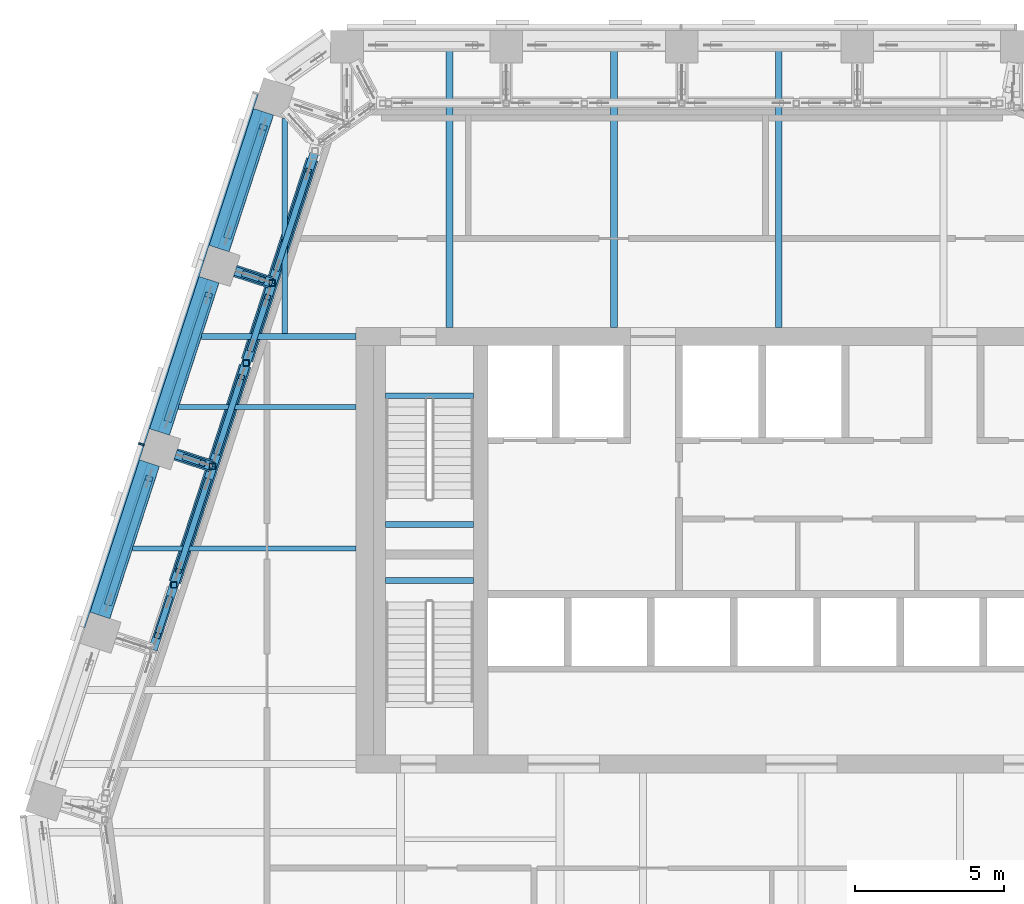
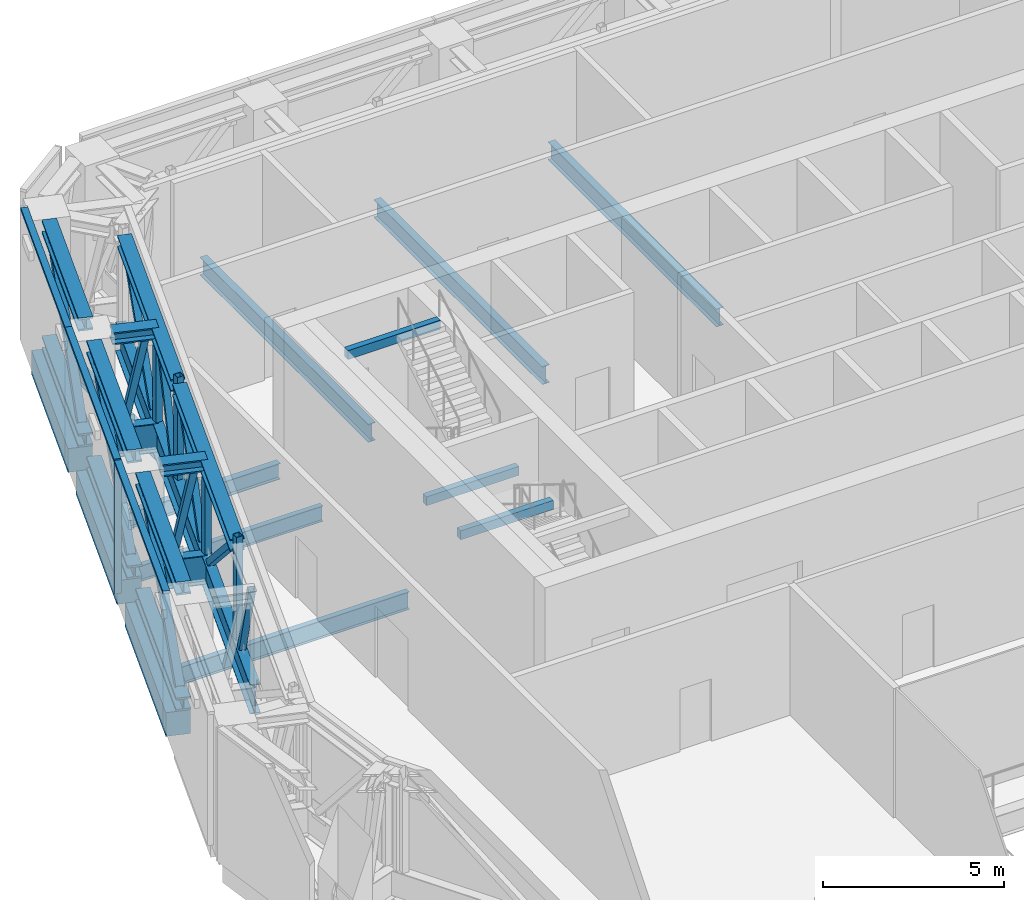
# One storey, part 11 of 25: 33 members, 13 beams, 1 element without a shape of its own.
"""IFC4 building model written with IfcOpenShell, lengths in metres."""

from ifc_helpers import new_model, si_unit, direction, frame, origin, origin_2d, place, context, subcontext, project, spatial, rectangle, hollow_rectangle, i_section, extrude, material, layer, layer_set, material_profile, profile_set, type_object, element, aggregate, save


model = new_model("IFC4")

# Units and contexts
model_context = context("Model", 3, precision=1e-05, world=origin(), true_north=direction((0.0, 1.0)))
body_context = subcontext(model_context, "Body", "Model", "MODEL_VIEW")
ifc_project = project(units=[si_unit("LENGTHUNIT", "METRE"), si_unit("AREAUNIT", "SQUARE_METRE"), si_unit("VOLUMEUNIT", "CUBIC_METRE"), si_unit("PLANEANGLEUNIT", "RADIAN"), si_unit("MASSUNIT", "GRAM", prefix="KILO")], contexts=[model_context])

# Site, building, storey
site_placement = place(None, origin())
site = spatial("IfcSite", under=ifc_project, at=site_placement, CompositionType="ELEMENT")
building_placement = place(site_placement, origin())
building = spatial("IfcBuilding", under=site, at=building_placement, Name="Isthmus Gate Tower", CompositionType="ELEMENT")
storey_placement = place(building_placement, frame((0.0, 0.0, 256.449951171875)))
storey = spatial("IfcBuildingStorey", under=building, at=storey_placement, Name="L65", CompositionType="ELEMENT", Elevation=256.449951171875)

# Members
ifc_material_1 = material(Name="Structural steel ASTM A913 Gr 65", Category="steel")
ifc_material_profile_1 = material_profile(ifc_material_1, i_section(OverallWidth=0.416015625, OverallDepth=0.444580078125, WebThickness=0.039794921875, FlangeThickness=0.0634765625, at=origin_2d()), Name="W14X342")
ifc_profile_set_1 = profile_set([ifc_material_profile_1], Name="Structural steel ASTM A913 Gr 65")
member_type_1 = type_object("IfcMemberType", Name="BELT TRUSS CHORD W14X342", PredefinedType="CHORD", material=ifc_profile_set_1)
for number, where, z_axis, x_axis, name in (
    (1, (-23.47705078125, 5.260986328125, 0.222412109375), (0.309019524535, 0.951055694193, 0.0), (-0.951055694193, 0.309019524535, 0.0), "str-belt22-L65-01"),
    (2, (-23.47705078125, 5.260986328125, 4.127685546875), (0.309019524535, 0.951055694193, 0.0), (-0.951055694193, 0.309019524535, 0.0), "str-belt22-L65-02"),
):
    element("IfcMember", number, at=place(storey_placement, frame(where, z_axis=z_axis, x_axis=x_axis)), inside=storey, type_object=member_type_1, Name=name, PredefinedType="CHORD", context=body_context, shape_type="SweptSolid", body=[
        extrude(i_section(OverallWidth=0.416015625, OverallDepth=0.444580078125, WebThickness=0.039794921875, FlangeThickness=0.0634765625, at=origin_2d()), origin(), (0.0, 0.0, 1.0), 5.39208984375),
    ])
for number, where, z_axis, x_axis, name in (
    (3, (-21.470947265625, 11.435302734375, 0.222412109375), (0.309032831924, 0.951051370218, 0.0), (-0.951051370218, 0.309032831924, 0.0), "str-belt23-L65-01"),
    (4, (-21.470947265625, 11.435302734375, 4.127685546875), (0.309032831924, 0.951051370218, 0.0), (-0.951051370218, 0.309032831924, 0.0), "str-belt23-L65-02"),
):
    element("IfcMember", number, at=place(storey_placement, frame(where, z_axis=z_axis, x_axis=x_axis)), inside=storey, type_object=member_type_1, Name=name, PredefinedType="CHORD", context=body_context, shape_type="SweptSolid", body=[
        extrude(i_section(OverallWidth=0.416015625, OverallDepth=0.444580078125, WebThickness=0.039794921875, FlangeThickness=0.0634765625, at=origin_2d()), origin(), (0.0, 0.0, 1.0), 5.391845703125),
    ])
for number, where, z_axis, x_axis, name in (
    (5, (-19.46484375, 17.609375, 0.222412109375), (0.309033626624, 0.951051111989, 0.0), (-0.951051111989, 0.309033626624, 0.0), "str-belt24-L65-01"),
    (6, (-19.46484375, 17.609375, 4.127685546875), (0.309033626624, 0.951051111989, 0.0), (-0.951051111989, 0.309033626624, 0.0), "str-belt24-L65-02"),
):
    element("IfcMember", number, at=place(storey_placement, frame(where, z_axis=z_axis, x_axis=x_axis)), inside=storey, type_object=member_type_1, Name=name, PredefinedType="CHORD", context=body_context, shape_type="SweptSolid", body=[
        extrude(i_section(OverallWidth=0.416015625, OverallDepth=0.444580078125, WebThickness=0.039794921875, FlangeThickness=0.0634765625, at=origin_2d()), origin(), (0.0, 0.0, 1.0), 4.842041015625),
    ])

# Curtain wall, members
ifc_material_2 = material(Name="Aluminium, pale champagne anodised", Category="aluminium")
ifc_layer = layer(ifc_material_2, 0.199951171875)
ifc_layer_set = layer_set([ifc_layer], Name="CW-2 LOUVRE CURTAIN WALL 200 DEEP")
curtain_wall_type = type_object("IfcCurtainWallType", Name="CW-2 LOUVRE CURTAIN WALL 200 DEEP", PredefinedType="NOTDEFINED", material=ifc_layer_set)
curtain_wall_placement = place(storey_placement, origin())
curtain_wall = element("IfcCurtainWall", 7, at=curtain_wall_placement, inside=storey, type_object=curtain_wall_type, Name="CW-2 NW L65", PredefinedType="NOTDEFINED")
ifc_material_3 = material(Name="Aluminium, pale champagne anodised", Category="aluminium")
ifc_material_profile_2 = material_profile(ifc_material_3, rectangle(XDim=0.06005859375, YDim=0.199951171875, at=origin_2d()), Name="60x200")
ifc_profile_set_2 = profile_set([ifc_material_profile_2], Name="Aluminium, pale champagne anodised")
member_type_2 = type_object("IfcMemberType", Name="CW-2 MULLION 60 X 200", PredefinedType="MULLION", material=ifc_profile_set_2)
member_1_placement = place(storey_placement, frame((-22.220703125, 11.069091796875, 0.0), z_axis=(0.0, 0.0, 1.0), x_axis=(-0.309016994375, -0.951056516295, 0.0)))
member_1 = element("IfcMember", 8, at=member_1_placement, type_object=member_type_2, Name="CW-2 mullion", PredefinedType="MULLION", context=body_context, shape_type="SweptSolid", body=[
    extrude(rectangle(XDim=0.06005859375, YDim=0.199951171875, at=origin_2d()), origin(), (0.0, 0.0, 1.0), 4.5),
])
ifc_material_4 = material(Name="Aluminium, pale champagne anodised", Category="aluminium")
ifc_material_profile_3 = material_profile(ifc_material_4, rectangle(XDim=0.199951171875, YDim=0.10009765625, at=origin_2d()), Name="200x100")
ifc_profile_set_3 = profile_set([ifc_material_profile_3], Name="Aluminium, pale champagne anodised")
member_type_3 = type_object("IfcMemberType", Name="CW-2 TRANSOM 200 X 100", PredefinedType="USERDEFINED", material=ifc_profile_set_3)
member_2_placement = place(storey_placement, frame((-18.3876953125, 22.86572265625, 4.449951171875), z_axis=(-0.309021311898, -0.951055113436, 0.0), x_axis=(0.951055113436, -0.309021311898, 0.0)))
member_2 = element("IfcMember", 9, at=member_2_placement, type_object=member_type_3, Name="CW-2 transom", ObjectType="TRANSOM", PredefinedType="USERDEFINED", context=body_context, shape_type="SweptSolid", body=[
    extrude(rectangle(XDim=0.199951171875, YDim=0.10009765625, at=origin_2d()), origin(), (0.0, 0.0, 1.0), 5.8818359375),
])
member_3_placement = place(storey_placement, frame((-20.205322265625, 17.271728515625, 4.449951171875), z_axis=(-0.309020593362, -0.951055346906, 0.0), x_axis=(0.951055346906, -0.309020593362, 0.0)))
member_3 = element("IfcMember", 10, at=member_3_placement, type_object=member_type_3, Name="CW-2 transom", ObjectType="TRANSOM", PredefinedType="USERDEFINED", context=body_context, shape_type="SweptSolid", body=[
    extrude(rectangle(XDim=0.199951171875, YDim=0.10009765625, at=origin_2d()), origin(), (0.0, 0.0, 1.0), 6.49169921875),
])
member_4_placement = place(storey_placement, frame((-22.22998046875, 11.04052734375, 4.449951171875), z_axis=(-0.309010542947, -0.951058612467, 0.0), x_axis=(0.951058612467, -0.309010542947, 0.0)))
member_4 = element("IfcMember", 11, at=member_4_placement, type_object=member_type_3, Name="CW-2 transom", ObjectType="TRANSOM", PredefinedType="USERDEFINED", context=body_context, shape_type="SweptSolid", body=[
    extrude(rectangle(XDim=0.199951171875, YDim=0.10009765625, at=origin_2d()), origin(), (0.0, 0.0, 1.0), 6.431884765625),
])
aggregate(curtain_wall, [member_2, member_3, member_1, member_4])

# Beams
ifc_material_5 = material(Name="Concrete f'c 50 MPa", Category="concrete")
ifc_material_profile_4 = material_profile(ifc_material_5, rectangle(XDim=0.699951171875, YDim=0.800048828125, at=origin_2d()), Name="RC 700X800")
ifc_profile_set_4 = profile_set([ifc_material_profile_4], Name="Concrete f'c 50 MPa")
beam_type_1 = type_object("IfcBeamType", Name="RC SPANDREL 700 X 800", PredefinedType="SPANDREL", material=ifc_profile_set_4)
for number, where, z_axis, x_axis, name in (
    (12, (-23.61962890625, 5.307373046875, -0.39990234375), (0.309032831924, 0.951051370218, 0.0), (-0.951051370218, 0.309032831924, 0.0), "str-spandrel-L65-22"),
    (13, (-21.613525390625, 11.481689453125, -0.39990234375), (0.309032831924, 0.951051370218, 0.0), (-0.951051370218, 0.309032831924, 0.0), "str-spandrel-L65-23"),
):
    element("IfcBeam", number, at=place(storey_placement, frame(where, z_axis=z_axis, x_axis=x_axis)), inside=storey, type_object=beam_type_1, Name=name, PredefinedType="SPANDREL", context=body_context, shape_type="SweptSolid", body=[
        extrude(rectangle(XDim=0.699951171875, YDim=0.800048828125, at=origin_2d()), origin(), (0.0, 0.0, 1.0), 5.391845703125),
    ])
beam_1_placement = place(storey_placement, frame((-19.607421875, 17.65576171875, -0.39990234375), z_axis=(0.309033626624, 0.951051111989, 0.0), x_axis=(-0.951051111989, 0.309033626624, 0.0)))
element("IfcBeam", 14, at=beam_1_placement, inside=storey, type_object=beam_type_1, Name="str-spandrel-L65-24", PredefinedType="SPANDREL", context=body_context, shape_type="SweptSolid", body=[
    extrude(rectangle(XDim=0.699951171875, YDim=0.800048828125, at=origin_2d()), origin(), (0.0, 0.0, 1.0), 4.842041015625),
])
ifc_material_6 = material(Name="Concrete f'c 40 MPa", Category="concrete")
ifc_material_profile_5 = material_profile(ifc_material_6, rectangle(XDim=0.199951171875, YDim=0.300048828125, at=origin_2d()), Name="STAIR LANDING BEAM RC 200 X 300")
ifc_profile_set_5 = profile_set([ifc_material_profile_5], Name="Concrete f'c 40 MPa")
beam_type_2 = type_object("IfcBeamType", Name="STAIR LANDING BEAM RC 200 X 300", PredefinedType="BEAM", material=ifc_profile_set_5)
for number, where, z_axis, x_axis, name in (
    (15, (-14.0, 8.3701171875, 1.900146484375), (1.0, 0.0, 0.0), (0.0, 1.0, 0.0), "L65 ST1 landing beam 1"),
    (16, (-14.0, 12.7001953125, 4.199951171875), (1.0, 0.0, 0.0), (0.0, 1.0, 0.0), "L65 ST1 floor-edge seat beam"),
    (17, (-14.0, 6.47998046875, 1.900146484375), (1.0, 0.0, 0.0), (0.0, 1.0, 0.0), "L65 ST7 landing beam 1"),
):
    element("IfcBeam", number, at=place(storey_placement, frame(where, z_axis=z_axis, x_axis=x_axis)), inside=storey, type_object=beam_type_2, Name=name, PredefinedType="BEAM", context=body_context, shape_type="SweptSolid", body=[
        extrude(rectangle(XDim=0.199951171875, YDim=0.300048828125, at=origin_2d()), origin(), (0.0, 0.0, 1.0), 2.949951171875),
    ])
ifc_material_7 = material(Name="Structural steel ASTM A992 Gr 50", Category="steel")
ifc_material_profile_6 = material_profile(ifc_material_7, i_section(OverallWidth=0.1650390625, OverallDepth=0.52392578125, WebThickness=0.009521484375, FlangeThickness=0.010986328125, at=origin_2d()), Name="W21X44")
ifc_profile_set_6 = profile_set([ifc_material_profile_6], Name="Structural steel ASTM A992 Gr 50")
beam_type_3 = type_object("IfcBeamType", Name="STEEL FLOOR BEAM W21X44", PredefinedType="JOIST", material=ifc_profile_set_6)
beam_2_placement = place(storey_placement, frame((-20.973388671875, 12.319091796875, -0.56201171875), z_axis=(1.0, 0.0, 0.0), x_axis=(0.0, 1.0, 0.0)))
element("IfcBeam", 18, at=beam_2_placement, inside=storey, type_object=beam_type_3, Name="str-beam-L65-00-02", PredefinedType="JOIST", context=body_context, shape_type="SweptSolid", body=[
    extrude(i_section(OverallWidth=0.1650390625, OverallDepth=0.52392578125, WebThickness=0.009521484375, FlangeThickness=0.010986328125, at=origin_2d()), origin(), (0.0, 0.0, 1.0), 5.973388671875),
])
ifc_material_8 = material(Name="Structural steel ASTM A992 Gr 50", Category="steel")
ifc_material_profile_7 = material_profile(ifc_material_8, i_section(OverallWidth=0.177734375, OverallDepth=0.60009765625, WebThickness=0.009521484375, FlangeThickness=0.0126953125, at=origin_2d()), Name="W24X55")
ifc_profile_set_7 = profile_set([ifc_material_profile_7], Name="Structural steel ASTM A992 Gr 50")
beam_type_4 = type_object("IfcBeamType", Name="STEEL FLOOR BEAM W24X55", PredefinedType="JOIST", material=ifc_profile_set_7)
beam_3_placement = place(storey_placement, frame((-22.520751953125, 7.55712890625, -0.60009765625), z_axis=(1.0, 0.0, 0.0), x_axis=(0.0, 1.0, 0.0)))
element("IfcBeam", 19, at=beam_3_placement, inside=storey, type_object=beam_type_4, Name="str-beam-L65-00-01", PredefinedType="JOIST", context=body_context, shape_type="SweptSolid", body=[
    extrude(i_section(OverallWidth=0.177734375, OverallDepth=0.60009765625, WebThickness=0.009521484375, FlangeThickness=0.0126953125, at=origin_2d()), origin(), (0.0, 0.0, 1.0), 7.520751953125),
])
beam_4_placement = place(storey_placement, frame((-17.394287109375, 14.8046875, -0.60009765625), z_axis=(0.0, 1.0, 0.0), x_axis=(-1.0, 0.0, 0.0)))
element("IfcBeam", 20, at=beam_4_placement, inside=storey, type_object=beam_type_4, Name="str-beam-L65-05-00", PredefinedType="JOIST", context=body_context, shape_type="SweptSolid", body=[
    extrude(i_section(OverallWidth=0.177734375, OverallDepth=0.60009765625, WebThickness=0.009521484375, FlangeThickness=0.0126953125, at=origin_2d()), origin(), (0.0, 0.0, 1.0), 7.235107421875),
])
ifc_material_9 = material(Name="Structural steel ASTM A992 Gr 50", Category="steel")
ifc_material_profile_8 = material_profile(ifc_material_9, i_section(OverallWidth=0.228515625, OverallDepth=0.603271484375, WebThickness=0.010986328125, FlangeThickness=0.014404296875, at=origin_2d()), Name="W24X68")
ifc_profile_set_8 = profile_set([ifc_material_profile_8], Name="Structural steel ASTM A992 Gr 50")
beam_type_5 = type_object("IfcBeamType", Name="STEEL FLOOR BEAM W24X68", PredefinedType="JOIST", material=ifc_profile_set_8)
for number, where, z_axis, x_axis, name in (
    (21, (-11.8515625, 15.0, -0.6015625), (0.0, 1.0, 0.0), (-1.0, 0.0, 0.0), "str-beam-L65-05-01"),
    (22, (-6.308837890625, 15.0, -0.6015625), (0.0, 1.0, 0.0), (-1.0, 0.0, 0.0), "str-beam-L65-05-02"),
    (23, (-0.76611328125, 15.0, -0.6015625), (0.0, 1.0, 0.0), (-1.0, 0.0, 0.0), "str-beam-L65-05-03"),
):
    element("IfcBeam", number, at=place(storey_placement, frame(where, z_axis=z_axis, x_axis=x_axis)), inside=storey, type_object=beam_type_5, Name=name, PredefinedType="JOIST", context=body_context, shape_type="SweptSolid", body=[
        extrude(i_section(OverallWidth=0.228515625, OverallDepth=0.603271484375, WebThickness=0.010986328125, FlangeThickness=0.014404296875, at=origin_2d()), origin(), (0.0, 0.0, 1.0), 9.300048828125),
    ])
ifc_material_10 = material(Name="Structural steel ASTM A992 Gr 50", Category="steel")
ifc_material_profile_9 = material_profile(ifc_material_10, i_section(OverallWidth=0.20947265625, OverallDepth=0.533447265625, WebThickness=0.009521484375, FlangeThickness=0.015869140625, at=origin_2d()), Name="W21X62")
ifc_profile_set_9 = profile_set([ifc_material_profile_9], Name="Structural steel ASTM A992 Gr 50")
beam_type_6 = type_object("IfcBeamType", Name="STEEL GIRDER W21X62", PredefinedType="BEAM", material=ifc_profile_set_9)
beam_5_placement = place(storey_placement, frame((-15.0, 14.699951171875, -0.566650390625), z_axis=(-1.0, 0.0, 0.0), x_axis=(0.0, -1.0, 0.0)))
element("IfcBeam", 24, at=beam_5_placement, inside=storey, type_object=beam_type_6, Name="str-girder-L65-11", PredefinedType="BEAM", context=body_context, shape_type="SweptSolid", body=[
    extrude(i_section(OverallWidth=0.20947265625, OverallDepth=0.533447265625, WebThickness=0.009521484375, FlangeThickness=0.015869140625, at=origin_2d()), origin(), (0.0, 0.0, 1.0), 5.19970703125),
])

# Members
ifc_material_11 = material(Name="Structural steel ASTM A913 Gr 65", Category="steel")
ifc_material_profile_10 = material_profile(ifc_material_11, i_section(OverallWidth=0.4033203125, OverallDepth=0.406494140625, WebThickness=0.027099609375, FlangeThickness=0.04443359375, at=origin_2d()), Name="W14X233")
ifc_profile_set_10 = profile_set([ifc_material_profile_10], Name="Structural steel ASTM A913 Gr 65")
member_type_4 = type_object("IfcMemberType", Name="TRANSFER TRUSS CHORD W14X233", PredefinedType="CHORD", material=ifc_profile_set_10)
member_5_placement = place(storey_placement, frame((-21.093505859375, 6.427734375, 4.046875), z_axis=(0.309031976142, 0.951051648294, 0.0), x_axis=(-0.951051648294, 0.309031976142, 0.0)))
element("IfcMember", 25, at=member_5_placement, inside=storey, type_object=member_type_4, Name="str-ring09-L65-16", PredefinedType="CHORD", context=body_context, shape_type="SweptSolid", body=[
    extrude(i_section(OverallWidth=0.4033203125, OverallDepth=0.406494140625, WebThickness=0.027099609375, FlangeThickness=0.04443359375, at=origin_2d()), origin(), (0.0, 0.0, 1.0), 7.65380859375),
])
member_6_placement = place(storey_placement, frame((-18.66552734375, 13.900146484375, 4.046875), z_axis=(0.309001365719, 0.951061594211, 0.0), x_axis=(-0.951061594211, 0.309001365719, 0.0)))
element("IfcMember", 26, at=member_6_placement, inside=storey, type_object=member_type_4, Name="str-ring09-L65-17", PredefinedType="CHORD", context=body_context, shape_type="SweptSolid", body=[
    extrude(i_section(OverallWidth=0.4033203125, OverallDepth=0.406494140625, WebThickness=0.027099609375, FlangeThickness=0.04443359375, at=origin_2d()), origin(), (0.0, 0.0, 1.0), 7.103759765625),
])
for number, where, z_axis, x_axis, name in (
    (27, (-19.064208984375, 16.90087890625, 4.046875), (0.951084872298, -0.308929709945, 0.0), (0.308929709945, 0.951084872298, 0.0), "str-link06-L65-02"),
    (28, (-21.0703125, 10.726806640625, 4.046875), (0.951029948634, -0.309098749271, 0.0), (0.309098749271, 0.951029948634, 0.0), "str-link07-L65-02"),
):
    element("IfcMember", number, at=place(storey_placement, frame(where, z_axis=z_axis, x_axis=x_axis)), inside=storey, type_object=member_type_4, Name=name, PredefinedType="CHORD", context=body_context, shape_type="SweptSolid", body=[
        extrude(i_section(OverallWidth=0.4033203125, OverallDepth=0.406494140625, WebThickness=0.027099609375, FlangeThickness=0.04443359375, at=origin_2d()), origin(), (0.0, 0.0, 1.0), 1.306396484375),
    ])
ifc_material_12 = material(Name="Structural steel ASTM A913 Gr 65", Category="steel")
ifc_material_profile_11 = material_profile(ifc_material_12, i_section(OverallWidth=0.29833984375, OverallDepth=0.981201171875, WebThickness=0.015869140625, FlangeThickness=0.025390625, at=origin_2d()), Name="W40X167")
ifc_profile_set_11 = profile_set([ifc_material_profile_11], Name="Structural steel ASTM A913 Gr 65")
member_type_5 = type_object("IfcMemberType", Name="TRANSFER TRUSS CHORD W40X167", PredefinedType="CHORD", material=ifc_profile_set_11)
member_7_placement = place(storey_placement, frame((-21.833740234375, 4.1494140625, 0.490478515625), z_axis=(0.309030789422, 0.951052033902, 0.0), x_axis=(-0.951052033902, 0.309030789422, 0.0)))
element("IfcMember", 29, at=member_7_placement, inside=storey, type_object=member_type_5, Name="str-ring09-L65-11", PredefinedType="CHORD", context=body_context, shape_type="SweptSolid", body=[
    extrude(i_section(OverallWidth=0.29833984375, OverallDepth=0.981201171875, WebThickness=0.015869140625, FlangeThickness=0.025390625, at=origin_2d()), origin(), (0.0, 0.0, 1.0), 6.49072265625),
])
member_8_placement = place(storey_placement, frame((-19.827880859375, 10.322509765625, 0.490478515625), z_axis=(0.309009541063, 0.951058937991, 0.0), x_axis=(-0.951058937991, 0.309009541063, 0.0)))
element("IfcMember", 30, at=member_8_placement, inside=storey, type_object=member_type_5, Name="str-ring09-L65-12", PredefinedType="CHORD", context=body_context, shape_type="SweptSolid", body=[
    extrude(i_section(OverallWidth=0.29833984375, OverallDepth=0.981201171875, WebThickness=0.015869140625, FlangeThickness=0.025390625, at=origin_2d()), origin(), (0.0, 0.0, 1.0), 6.491943359375),
])
member_9_placement = place(storey_placement, frame((-17.82177734375, 16.496826171875, 0.490478515625), z_axis=(0.308992082822, 0.951064610189, 0.0), x_axis=(-0.951064610189, 0.308992082822, 0.0)))
element("IfcMember", 31, at=member_9_placement, inside=storey, type_object=member_type_5, Name="str-ring09-L65-13", PredefinedType="CHORD", context=body_context, shape_type="SweptSolid", body=[
    extrude(i_section(OverallWidth=0.29833984375, OverallDepth=0.981201171875, WebThickness=0.015869140625, FlangeThickness=0.025390625, at=origin_2d()), origin(), (0.0, 0.0, 1.0), 4.875),
])
for number, where, z_axis, x_axis, name in (
    (32, (-19.064208984375, 16.90087890625, 0.490478515625), (0.951084872298, -0.308929709945, 0.0), (0.308929709945, 0.951084872298, 0.0), "str-link06-L65-01"),
    (33, (-21.0703125, 10.726806640625, 0.490478515625), (0.951029948634, -0.309098749271, 0.0), (0.309098749271, 0.951029948634, 0.0), "str-link07-L65-01"),
):
    element("IfcMember", number, at=place(storey_placement, frame(where, z_axis=z_axis, x_axis=x_axis)), inside=storey, type_object=member_type_5, Name=name, PredefinedType="CHORD", context=body_context, shape_type="SweptSolid", body=[
        extrude(i_section(OverallWidth=0.29833984375, OverallDepth=0.981201171875, WebThickness=0.015869140625, FlangeThickness=0.025390625, at=origin_2d()), origin(), (0.0, 0.0, 1.0), 1.306396484375),
    ])
ifc_material_13 = material(Name="Structural steel ASTM A500 Gr C", Category="steel")
ifc_material_profile_12 = material_profile(ifc_material_13, hollow_rectangle(XDim=0.203125, YDim=0.203125, WallThickness=0.01171875, at=origin_2d()), Name="HSS8X8X1/2")
ifc_profile_set_12 = profile_set([ifc_material_profile_12], Name="Structural steel ASTM A500 Gr C")
member_type_6 = type_object("IfcMemberType", Name="TRANSFER TRUSS DIAGONAL HSS8X8X1/2", PredefinedType="BRACE", material=ifc_profile_set_12)
member_10_placement = place(storey_placement, frame((-21.279541015625, 5.85546875, 0.981201171875), z_axis=(-0.1272218455, -0.391768676338, 0.911225496937), x_axis=(0.951107527801, -0.308859952988, 0.0)))
element("IfcMember", 34, at=member_10_placement, inside=storey, type_object=member_type_6, Name="str-ring09-L65-20", PredefinedType="BRACE", context=body_context, shape_type="SweptSolid", body=[
    extrude(hollow_rectangle(XDim=0.203125, YDim=0.203125, WallThickness=0.01171875, at=origin_2d()), origin(), (0.0, 0.0, 1.0), 3.141357421875),
])
member_11_placement = place(storey_placement, frame((-19.982421875, 9.84716796875, 0.981201171875), z_axis=(-0.23024219804, -0.708533811313, 0.667059493949), x_axis=(0.951046414108, -0.309048083981, 0.0)))
element("IfcMember", 35, at=member_11_placement, inside=storey, type_object=member_type_6, Name="str-ring09-L65-21", PredefinedType="BRACE", context=body_context, shape_type="SweptSolid", body=[
    extrude(hollow_rectangle(XDim=0.203125, YDim=0.203125, WallThickness=0.01171875, at=origin_2d()), origin(), (0.0, 0.0, 1.0), 4.291259765625),
])
member_12_placement = place(storey_placement, frame((-19.673583984375, 10.798095703125, 0.981201171875), z_axis=(0.210362178351, 0.64739319634, 0.732550205277), x_axis=(-0.95105160396, 0.309032112578, 0.0)))
element("IfcMember", 36, at=member_12_placement, inside=storey, type_object=member_type_6, Name="str-ring09-L65-22", PredefinedType="BRACE", context=body_context, shape_type="SweptSolid", body=[
    extrude(hollow_rectangle(XDim=0.203125, YDim=0.203125, WallThickness=0.01171875, at=origin_2d()), origin(), (0.0, 0.0, 1.0), 3.90771484375),
])
member_13_placement = place(storey_placement, frame((-18.54248046875, 14.279052734375, 0.981201171875), z_axis=(0.166590751559, 0.512631135458, 0.842292609759), x_axis=(-0.95104190363, 0.309061963918, 0.0)))
element("IfcMember", 37, at=member_13_placement, inside=storey, type_object=member_type_6, Name="str-ring09-L65-23", PredefinedType="BRACE", context=body_context, shape_type="SweptSolid", body=[
    extrude(hollow_rectangle(XDim=0.203125, YDim=0.203125, WallThickness=0.01171875, at=origin_2d()), origin(), (0.0, 0.0, 1.0), 3.3984375),
])
member_14_placement = place(storey_placement, frame((-17.667236328125, 16.972412109375, 0.981201171875), z_axis=(0.238491050885, 0.73407306863, 0.635813454214), x_axis=(-0.951065558197, 0.308989164878, 0.0)))
element("IfcMember", 38, at=member_14_placement, inside=storey, type_object=member_type_6, Name="str-ring09-L65-24", PredefinedType="BRACE", context=body_context, shape_type="SweptSolid", body=[
    extrude(hollow_rectangle(XDim=0.203125, YDim=0.203125, WallThickness=0.01171875, at=origin_2d()), origin(), (0.0, 0.0, 1.0), 4.502197265625),
])
for number, where, z_axis, x_axis, name in (
    (39, (-18.728271484375, 16.791748046875, 0.981201171875), (0.195079967594, -0.063357165342, 0.978738819013), (0.308892816854, 0.951096855055, 0.0), "str-link06-L65-03"),
    (40, (-20.734375, 10.61767578125, 0.981201171875), (0.195078935201, -0.06344030413, 0.978733639379), (0.309260889552, 0.950977235371, 0.0), "str-link07-L65-03"),
):
    element("IfcMember", number, at=place(storey_placement, frame(where, z_axis=z_axis, x_axis=x_axis)), inside=storey, type_object=member_type_6, Name=name, PredefinedType="BRACE", context=body_context, shape_type="SweptSolid", body=[
        extrude(hollow_rectangle(XDim=0.203125, YDim=0.203125, WallThickness=0.01171875, at=origin_2d()), origin(), (0.0, 0.0, 1.0), 2.9248046875),
    ])
ifc_material_14 = material(Name="Structural steel ASTM A500 Gr C", Category="steel")
ifc_material_profile_13 = material_profile(ifc_material_14, hollow_rectangle(XDim=0.203125, YDim=0.203125, WallThickness=0.01171875, at=origin_2d()), Name="HSS8X8X1/2")
ifc_profile_set_13 = profile_set([ifc_material_profile_13], Name="Structural steel ASTM A500 Gr C")
member_type_7 = type_object("IfcMemberType", Name="TRANSFER TRUSS POST HSS8X8X1/2", PredefinedType="POST", material=ifc_profile_set_13)
member_15_placement = place(storey_placement, frame((-21.125, 6.3310546875, 0.981201171875), z_axis=(0.0, 0.0, 1.0), x_axis=(1.0, 0.0, 0.0)))
element("IfcMember", 41, at=member_15_placement, inside=storey, type_object=member_type_7, Name="str-ring09-L65-04", PredefinedType="POST", context=body_context, shape_type="SweptSolid", body=[
    extrude(hollow_rectangle(XDim=0.203125, YDim=0.203125, WallThickness=0.01171875, at=origin_2d()), origin(), (0.0, 0.0, 1.0), 3.46875),
])
member_16_placement = place(storey_placement, frame((-19.827880859375, 10.322509765625, 0.981201171875), z_axis=(0.0, 0.0, 1.0), x_axis=(1.0, 0.0, 0.0)))
element("IfcMember", 42, at=member_16_placement, inside=storey, type_object=member_type_7, Name="str-ring09-L65-05", PredefinedType="POST", context=body_context, shape_type="SweptSolid", body=[
    extrude(hollow_rectangle(XDim=0.203125, YDim=0.203125, WallThickness=0.01171875, at=origin_2d()), origin(), (0.0, 0.0, 1.0), 2.862548828125),
])
member_17_placement = place(storey_placement, frame((-18.697021484375, 13.803466796875, 0.981201171875), z_axis=(0.0, 0.0, 1.0), x_axis=(1.0, 0.0, 0.0)))
element("IfcMember", 43, at=member_17_placement, inside=storey, type_object=member_type_7, Name="str-ring09-L65-06", PredefinedType="POST", context=body_context, shape_type="SweptSolid", body=[
    extrude(hollow_rectangle(XDim=0.203125, YDim=0.203125, WallThickness=0.01171875, at=origin_2d()), origin(), (0.0, 0.0, 1.0), 3.46875),
])
member_18_placement = place(storey_placement, frame((-17.82177734375, 16.496826171875, 0.981201171875), z_axis=(0.0, 0.0, 1.0), x_axis=(1.0, 0.0, 0.0)))
element("IfcMember", 44, at=member_18_placement, inside=storey, type_object=member_type_7, Name="str-ring09-L65-07", PredefinedType="POST", context=body_context, shape_type="SweptSolid", body=[
    extrude(hollow_rectangle(XDim=0.203125, YDim=0.203125, WallThickness=0.01171875, at=origin_2d()), origin(), (0.0, 0.0, 1.0), 2.862548828125),
])
ifc_material_15 = material(Name="Structural steel ASTM A500 Gr C", Category="steel")
ifc_material_profile_14 = material_profile(ifc_material_15, hollow_rectangle(XDim=0.25390625, YDim=0.25390625, WallThickness=0.01171875, at=origin_2d()), Name="HSS10X10X1/2")
ifc_profile_set_14 = profile_set([ifc_material_profile_14], Name="Structural steel ASTM A500 Gr C")
member_type_8 = type_object("IfcMemberType", Name="TRUSS DIAGONAL HSS10X10X1/2", PredefinedType="BRACE", material=ifc_profile_set_14)
for number, where, z_axis, x_axis, name in (
    (45, (-23.322509765625, 5.736572265625, 0.444580078125), (0.242711907638, 0.746997306669, 0.618939378066), (-0.951057350829, 0.309014425931, 0.0), "str-belt22-L65-03"),
    (46, (-21.31640625, 11.91064453125, 0.444580078125), (0.242711907638, 0.746997306669, 0.618939378066), (-0.951057350829, 0.309014425931, 0.0), "str-belt23-L65-03"),
):
    element("IfcMember", number, at=place(storey_placement, frame(where, z_axis=z_axis, x_axis=x_axis)), inside=storey, type_object=member_type_8, Name=name, PredefinedType="BRACE", context=body_context, shape_type="SweptSolid", body=[
        extrude(hollow_rectangle(XDim=0.25390625, YDim=0.25390625, WallThickness=0.01171875, at=origin_2d()), origin(), (0.0, 0.0, 1.0), 5.591796875),
    ])
member_19_placement = place(storey_placement, frame((-19.310302734375, 18.0849609375, 0.444580078125), z_axis=(0.229604294887, 0.706612765222, 0.669313280755), x_axis=(-0.951051813044, 0.309031469119, 0.0)))
element("IfcMember", 47, at=member_19_placement, inside=storey, type_object=member_type_8, Name="str-belt24-L65-03", PredefinedType="BRACE", context=body_context, shape_type="SweptSolid", body=[
    extrude(hollow_rectangle(XDim=0.25390625, YDim=0.25390625, WallThickness=0.01171875, at=origin_2d()), origin(), (0.0, 0.0, 1.0), 5.1708984375),
])

save(model, "model.ifc")
